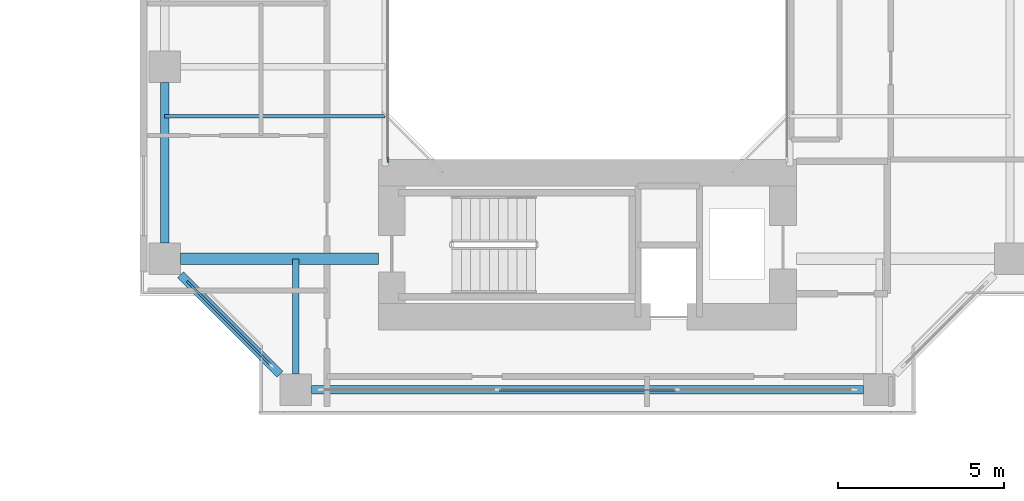
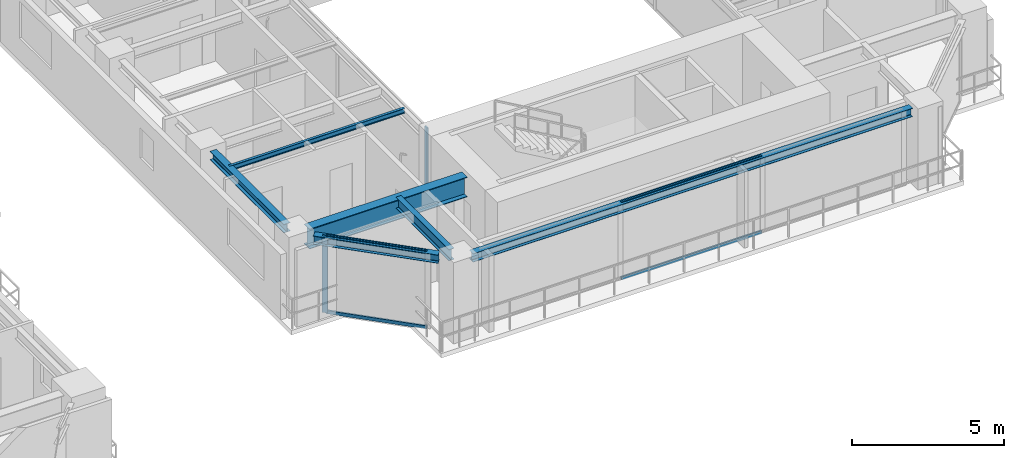
# One storey, part 6 of 22: 6 beams, 6 members, 3 elements without a shape of their own.
"""IFC4 building model written with IfcOpenShell, lengths in metres."""

from ifc_helpers import new_model, si_unit, direction, frame, origin, origin_2d, place, context, subcontext, project, spatial, rectangle, i_section, extrude, source, transform, mapped, material, layer, layer_set, material_profile, profile_set, type_object, element, aggregate, save


model = new_model("IFC4")

# Units and contexts
model_context = context("Model", 3, precision=1e-05, world=origin(), true_north=direction((0.0, 1.0)))
body_context = subcontext(model_context, "Body", "Model", "MODEL_VIEW")
ifc_project = project(units=[si_unit("LENGTHUNIT", "METRE"), si_unit("AREAUNIT", "SQUARE_METRE"), si_unit("VOLUMEUNIT", "CUBIC_METRE"), si_unit("PLANEANGLEUNIT", "RADIAN"), si_unit("MASSUNIT", "GRAM", prefix="KILO"), si_unit("THERMODYNAMICTEMPERATUREUNIT", "KELVIN"), si_unit("POWERUNIT", "WATT")], contexts=[model_context])

# Site, building, storey
site_placement = place(None, origin())
site = spatial("IfcSite", under=ifc_project, at=site_placement, CompositionType="ELEMENT")
building_placement = place(site_placement, origin())
building = spatial("IfcBuilding", under=site, at=building_placement, Name="Qiaomeng Ring Towers", CompositionType="ELEMENT")
storey_placement = place(building_placement, frame((0.0, 0.0, 53.5)))
storey = spatial("IfcBuildingStorey", under=building, at=storey_placement, Name="L14", CompositionType="ELEMENT", Elevation=53.5)

# Beams
ifc_material_1 = material(Name="Steel Q355B", Category="steel")
ifc_material_profile_1 = material_profile(ifc_material_1, i_section(OverallWidth=0.25, OverallDepth=0.340087890625, WebThickness=0.009033203125, FlangeThickness=0.013916015625, FilletRadius=0.02001953125, at=origin_2d()), Name="HM 340x250x9x14")
ifc_profile_set_1 = profile_set([ifc_material_profile_1], Name="Steel Q355B")
beam_type_1 = type_object("IfcBeamType", Name="STR-BM-HM340", PredefinedType="SPANDREL", material=ifc_profile_set_1)
shared_shape_1 = source(origin(), body_context, "Body", "SweptSolid", [
    extrude(i_section(OverallWidth=0.25, OverallDepth=0.340087890625, WebThickness=0.009033203125, FlangeThickness=0.013916015625, FilletRadius=0.02001953125, at=origin_2d()), origin(), (0.0, 0.0, 1.0), 16.65185546875),
])
beam_1_placement = place(storey_placement, frame((52.174072265625, 10.25, 2.89990234375), z_axis=(1.0, 0.0, 0.0), x_axis=(0.0, 1.0, 0.0)))
element("IfcBeam", 1, at=beam_1_placement, inside=storey, type_object=beam_type_1, Name="L14 beam STR-SP-L14-T2-S1-S2", PredefinedType="SPANDREL", context=body_context, shape_type="MappedRepresentation", body=[
    mapped(shared_shape_1, transform((0.0, 0.0, 0.0), x_axis=(1.0, 0.0, 0.0), y_axis=(0.0, 1.0, 0.0), z_axis=(0.0, 0.0, 1.0), scale=1.0)),
])
shared_shape_2 = source(origin(), body_context, "Body", "SweptSolid", [
    extrude(i_section(OverallWidth=0.25, OverallDepth=0.340087890625, WebThickness=0.009033203125, FlangeThickness=0.013916015625, FilletRadius=0.02001953125, at=origin_2d()), origin(), (0.0, 0.0, 1.0), 4.244384765625),
])
beam_2_placement = place(storey_placement, frame((48.224365234375, 13.7255859375, 2.89990234375), z_axis=(0.707106781187, -0.707106781187, 0.0), x_axis=(0.707106781187, 0.707106781187, 0.0)))
element("IfcBeam", 2, at=beam_2_placement, inside=storey, type_object=beam_type_1, Name="L14 beam STR-SP-L14-T2-W1-S1", PredefinedType="SPANDREL", context=body_context, shape_type="MappedRepresentation", body=[
    mapped(shared_shape_2, transform((0.0, 0.0, 0.0), x_axis=(1.0, 0.0, 0.0), y_axis=(0.0, 1.0, 0.0), z_axis=(0.0, 0.0, 1.0), scale=1.0)),
])
shared_shape_3 = source(origin(), body_context, "Body", "SweptSolid", [
    extrude(i_section(OverallWidth=0.25, OverallDepth=0.340087890625, WebThickness=0.009033203125, FlangeThickness=0.013916015625, FilletRadius=0.02001953125, at=origin_2d()), origin(), (0.0, 0.0, 1.0), 4.851806640625),
])
beam_3_placement = place(storey_placement, frame((47.75, 19.52587890625, 2.89990234375), z_axis=(0.0, -1.0, 0.0), x_axis=(1.0, 0.0, 0.0)))
element("IfcBeam", 3, at=beam_3_placement, inside=storey, type_object=beam_type_1, Name="L14 beam STR-SP-L14-T2-W2-W1", PredefinedType="SPANDREL", context=body_context, shape_type="MappedRepresentation", body=[
    mapped(shared_shape_3, transform((0.0, 0.0, 0.0), x_axis=(1.0, 0.0, 0.0), y_axis=(0.0, 1.0, 0.0), z_axis=(0.0, 0.0, 1.0), scale=1.0)),
])
ifc_material_2 = material(Name="Steel Q390GJC", Category="steel")
ifc_material_profile_2 = material_profile(ifc_material_2, i_section(OverallWidth=0.35009765625, OverallDepth=0.800048828125, WebThickness=0.01611328125, FlangeThickness=0.028076171875, at=origin_2d()), Name="WH 800x350x16x28")
ifc_profile_set_2 = profile_set([ifc_material_profile_2], Name="Steel Q390GJC")
beam_type_2 = type_object("IfcBeamType", Name="STR-BM-WH800", PredefinedType="BEAM", material=ifc_profile_set_2)
shared_shape_4 = source(origin(), body_context, "Body", "SweptSolid", [
    extrude(i_section(OverallWidth=0.35009765625, OverallDepth=0.800048828125, WebThickness=0.01611328125, FlangeThickness=0.028076171875, at=origin_2d()), origin(), (0.0, 0.0, 1.0), 5.975830078125),
])
beam_4_placement = place(storey_placement, frame((48.22412109375, 14.199951171875, 2.669921875), z_axis=(1.0, 0.0, 0.0), x_axis=(0.0, 1.0, 0.0)))
element("IfcBeam", 4, at=beam_4_placement, inside=storey, type_object=beam_type_2, Name="L14 beam STR-BM-L14-T2-RAD-W1", PredefinedType="BEAM", context=body_context, shape_type="MappedRepresentation", body=[
    mapped(shared_shape_4, transform((0.0, 0.0, 0.0), x_axis=(1.0, 0.0, 0.0), y_axis=(0.0, 1.0, 0.0), z_axis=(0.0, 0.0, 1.0), scale=1.0)),
])
ifc_material_profile_3 = material_profile(ifc_material_1, i_section(OverallWidth=0.199951171875, OverallDepth=0.449951171875, WebThickness=0.009033203125, FlangeThickness=0.013916015625, FilletRadius=0.01806640625, at=origin_2d()), Name="HN 450x200x9x14")
ifc_profile_set_3 = profile_set([ifc_material_profile_3], Name="Steel Q355B")
beam_type_3 = type_object("IfcBeamType", Name="STR-BM-HN450", PredefinedType="SPANDREL", material=ifc_profile_set_3)
shared_shape_5 = source(origin(), body_context, "Body", "SweptSolid", [
    extrude(i_section(OverallWidth=0.199951171875, OverallDepth=0.449951171875, WebThickness=0.009033203125, FlangeThickness=0.013916015625, FilletRadius=0.01806640625, at=origin_2d()), origin(), (0.0, 0.0, 1.0), 3.475830078125),
])
beam_5_placement = place(storey_placement, frame((51.699951171875, 10.72412109375, 2.844970703125), z_axis=(0.0, 1.0, 0.0), x_axis=(-1.0, 0.0, 0.0)))
element("IfcBeam", 5, at=beam_5_placement, inside=storey, type_object=beam_type_3, Name="L14 beam STR-BM-L14-T2-RAD-S1", PredefinedType="SPANDREL", context=body_context, shape_type="MappedRepresentation", body=[
    mapped(shared_shape_5, transform((0.0, 0.0, 0.0), x_axis=(1.0, 0.0, 0.0), y_axis=(0.0, 1.0, 0.0), z_axis=(0.0, 0.0, 1.0), scale=1.0)),
])
ifc_material_profile_4 = material_profile(ifc_material_1, i_section(OverallWidth=0.10009765625, OverallDepth=0.199951171875, WebThickness=0.005615234375, FlangeThickness=0.008056640625, FilletRadius=0.010986328125, at=origin_2d()), Name="HN 200x100x5.5x8")
ifc_profile_set_4 = profile_set([ifc_material_profile_4], Name="Steel Q355B")
beam_type_4 = type_object("IfcBeamType", Name="STR-BM-HN200", PredefinedType="JOIST", material=ifc_profile_set_4)
shared_shape_6 = source(origin(), body_context, "Body", "SweptSolid", [
    extrude(i_section(OverallWidth=0.10009765625, OverallDepth=0.199951171875, WebThickness=0.005615234375, FlangeThickness=0.008056640625, FilletRadius=0.010986328125, at=origin_2d()), origin(), (0.0, 0.0, 1.0), 6.64990234375),
])
beam_6_placement = place(storey_placement, frame((47.75, 18.5, 2.969970703125), z_axis=(1.0, 0.0, 0.0), x_axis=(0.0, 1.0, 0.0)))
element("IfcBeam", 6, at=beam_6_placement, inside=storey, type_object=beam_type_4, Name="L14 beam STR-JST-L14-T2W-1", PredefinedType="JOIST", context=body_context, shape_type="MappedRepresentation", body=[
    mapped(shared_shape_6, transform((0.0, 0.0, 0.0), x_axis=(1.0, 0.0, 0.0), y_axis=(0.0, 1.0, 0.0), z_axis=(0.0, 0.0, 1.0), scale=1.0)),
])

# Curtain wall, member
ifc_material_3 = material(Name="Fluorocarbon dark-grey aluminium", Category="aluminium")
ifc_layer_1 = layer(ifc_material_3, 0.139892578125, Name="Fluorocarbon dark-grey aluminium")
ifc_layer_set_1 = layer_set([ifc_layer_1], Name="Fluorocarbon dark-grey aluminium")
curtain_wall_type_1 = type_object("IfcCurtainWallType", Name="ARC-CW-4", PredefinedType="NOTDEFINED", material=ifc_layer_set_1)
curtain_wall_1_placement = place(storey_placement, origin())
curtain_wall_1 = element("IfcCurtainWall", 7, at=curtain_wall_1_placement, inside=storey, type_object=curtain_wall_type_1, Name="L14 Curtain Wall CW4", PredefinedType="NOTDEFINED")
ifc_material_profile_5 = material_profile(ifc_material_3, rectangle(XDim=0.06494140625, YDim=0.159912109375, at=origin_2d()), Name="ALU MULL 65x160")
ifc_profile_set_5 = profile_set([ifc_material_profile_5], Name="Fluorocarbon dark-grey aluminium")
member_type_1 = type_object("IfcMemberType", Name="ARC-CWM-140", PredefinedType="MULLION", material=ifc_profile_set_5)
shared_shape_7 = source(origin(), body_context, "Body", "SweptSolid", [
    extrude(rectangle(XDim=0.06494140625, YDim=0.159912109375, at=origin_2d()), origin(), (0.0, 0.0, 1.0), 3.070068359375),
])
member_1_placement = place(storey_placement, frame((54.47998046875, 17.1826171875, 0.0), z_axis=(0.0, 0.0, 1.0), x_axis=(-1.0, 0.0, 0.0)))
member_1 = element("IfcMember", 8, at=member_1_placement, type_object=member_type_1, Name="CW4 mullion 1", PredefinedType="MULLION", context=body_context, shape_type="MappedRepresentation", body=[
    mapped(shared_shape_7, transform((0.0, 0.0, 0.0), x_axis=(1.0, 0.0, 0.0), y_axis=(0.0, 1.0, 0.0), z_axis=(0.0, 0.0, 1.0), scale=1.0)),
])
aggregate(curtain_wall_1, [member_1])

ifc_layer_2 = layer(ifc_material_3, 0.14990234375, Name="Fluorocarbon dark-grey aluminium")
ifc_layer_set_2 = layer_set([ifc_layer_2], Name="Fluorocarbon dark-grey aluminium")
curtain_wall_type_2 = type_object("IfcCurtainWallType", Name="ARC-CW-5", PredefinedType="NOTDEFINED", material=ifc_layer_set_2)
curtain_wall_2_placement = place(storey_placement, origin())
curtain_wall_2 = element("IfcCurtainWall", 9, at=curtain_wall_2_placement, inside=storey, type_object=curtain_wall_type_2, Name="L14 Curtain Wall CW5", PredefinedType="NOTDEFINED")
ifc_material_profile_6 = material_profile(ifc_material_3, rectangle(XDim=0.070068359375, YDim=0.179931640625, at=origin_2d()), Name="ALU MULL 70x180")
ifc_profile_set_6 = profile_set([ifc_material_profile_6], Name="Fluorocarbon dark-grey aluminium")
member_type_2 = type_object("IfcMemberType", Name="ARC-CWM-160", PredefinedType="MULLION", material=ifc_profile_set_6)
shared_shape_8 = source(origin(), body_context, "Body", "SweptSolid", [
    extrude(rectangle(XDim=0.070068359375, YDim=0.179931640625, at=origin_2d()), origin(), (0.0, 0.0, 1.0), 3.070068359375),
])
member_2_placement = place(storey_placement, frame((48.48974609375, 13.460205078125, 0.0), z_axis=(0.0, 0.0, 1.0), x_axis=(0.707106781187, 0.707106781187, 0.0)))
member_2 = element("IfcMember", 10, at=member_2_placement, type_object=member_type_2, Name="CW5 mullion 1", PredefinedType="MULLION", context=body_context, shape_type="MappedRepresentation", body=[
    mapped(shared_shape_8, transform((0.0, 0.0, 0.0), x_axis=(1.0, 0.0, 0.0), y_axis=(0.0, 1.0, 0.0), z_axis=(0.0, 0.0, 1.0), scale=1.0)),
])

# Curtain wall, members
curtain_wall_3_placement = place(storey_placement, origin())
curtain_wall_3 = element("IfcCurtainWall", 11, at=curtain_wall_3_placement, inside=storey, type_object=curtain_wall_type_2, Name="L14 Curtain Wall CW5", PredefinedType="NOTDEFINED")
ifc_material_profile_7 = material_profile(ifc_material_3, rectangle(XDim=0.06494140625, YDim=0.1298828125, at=origin_2d()), Name="ALU TRAN 65x130")
ifc_profile_set_7 = profile_set([ifc_material_profile_7], Name="Fluorocarbon dark-grey aluminium")
member_type_3 = type_object("IfcMemberType", Name="ARC-CWT-120", PredefinedType="USERDEFINED", material=ifc_profile_set_7)
shared_shape_9 = source(origin(), body_context, "Body", "SweptSolid", [
    extrude(rectangle(XDim=0.06494140625, YDim=0.1298828125, at=origin_2d()), origin(), (0.0, 0.0, 1.0), 5.31982421875),
])
member_3_placement = place(storey_placement, frame((57.840087890625, 10.25, 0.032470703125), z_axis=(1.0, 0.0, 0.0), x_axis=(0.0, 1.0, 0.0)))
member_3 = element("IfcMember", 12, at=member_3_placement, type_object=member_type_3, Name="CW5 transom 2.1", ObjectType="TRANSOM", PredefinedType="USERDEFINED", context=body_context, shape_type="MappedRepresentation", body=[
    mapped(shared_shape_9, transform((0.0, 0.0, 0.0), x_axis=(1.0, 0.0, 0.0), y_axis=(0.0, 1.0, 0.0), z_axis=(0.0, 0.0, 1.0), scale=1.0)),
])
member_4_placement = place(storey_placement, frame((57.840087890625, 10.25, 3.03759765625), z_axis=(1.0, 0.0, 0.0), x_axis=(0.0, 1.0, 0.0)))
member_4 = element("IfcMember", 13, at=member_4_placement, type_object=member_type_3, Name="CW5 transom 2.2", ObjectType="TRANSOM", PredefinedType="USERDEFINED", context=body_context, shape_type="MappedRepresentation", body=[
    mapped(shared_shape_9, transform((0.0, 0.0, 0.0), x_axis=(1.0, 0.0, 0.0), y_axis=(0.0, 1.0, 0.0), z_axis=(0.0, 0.0, 1.0), scale=1.0)),
])
aggregate(curtain_wall_3, [member_3, member_4])

# Member
shared_shape_10 = source(origin(), body_context, "Body", "SweptSolid", [
    extrude(rectangle(XDim=0.06494140625, YDim=0.1298828125, at=origin_2d()), origin(), (0.0, 0.0, 1.0), 3.424072265625),
])
member_5_placement = place(storey_placement, frame((48.514404296875, 13.435546875, 0.032470703125), z_axis=(0.707106781187, -0.707106781187, 0.0), x_axis=(0.707106781187, 0.707106781187, 0.0)))
member_5 = element("IfcMember", 14, at=member_5_placement, type_object=member_type_3, Name="CW5 transom 1.1", ObjectType="TRANSOM", PredefinedType="USERDEFINED", context=body_context, shape_type="MappedRepresentation", body=[
    mapped(shared_shape_10, transform((0.0, 0.0, 0.0), x_axis=(1.0, 0.0, 0.0), y_axis=(0.0, 1.0, 0.0), z_axis=(0.0, 0.0, 1.0), scale=1.0)),
])

member_6_placement = place(storey_placement, frame((48.514404296875, 13.435546875, 3.03759765625), z_axis=(0.707106781187, -0.707106781187, 0.0), x_axis=(0.707106781187, 0.707106781187, 0.0)))
member_6 = element("IfcMember", 15, at=member_6_placement, type_object=member_type_3, Name="CW5 transom 1.2", ObjectType="TRANSOM", PredefinedType="USERDEFINED", context=body_context, shape_type="MappedRepresentation", body=[
    mapped(shared_shape_10, transform((0.0, 0.0, 0.0), x_axis=(1.0, 0.0, 0.0), y_axis=(0.0, 1.0, 0.0), z_axis=(0.0, 0.0, 1.0), scale=1.0)),
])

aggregate(curtain_wall_2, [member_2, member_5, member_6])

save(model, "model.ifc")
